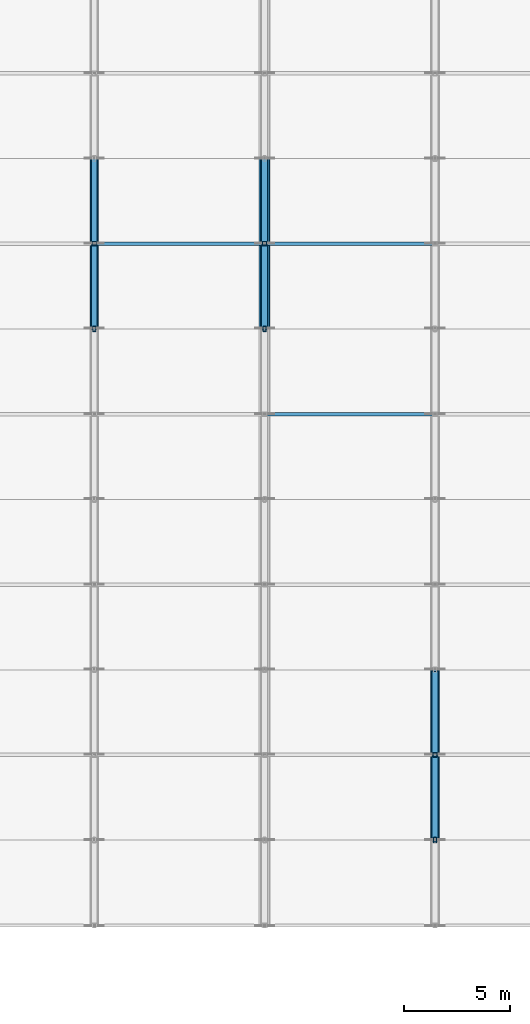
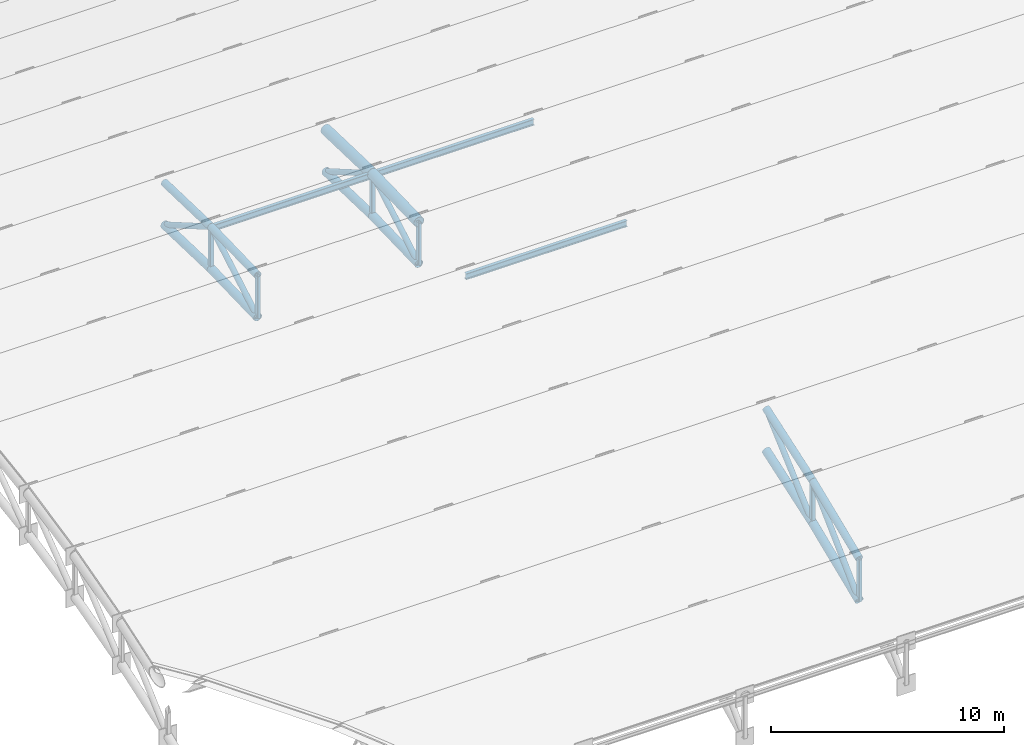
# One storey, part 10 of 98: 27 members.
"""IFC4 building model written with IfcOpenShell, lengths in metres."""

from ifc_helpers import new_model, si_unit, direction, frame, origin, origin_2d, place, context, subcontext, project, spatial, hollow_rectangle, hollow_circle, i_section, extrude, material, material_profile, profile_set, type_object, element, save


model = new_model("IFC4")

# Units and contexts
model_context = context("Model", 3, precision=1e-05, world=origin(), true_north=direction((0.0, 1.0)))
body_context = subcontext(model_context, "Body", "Model", "MODEL_VIEW")
ifc_project = project(units=[si_unit("LENGTHUNIT", "METRE"), si_unit("AREAUNIT", "SQUARE_METRE"), si_unit("VOLUMEUNIT", "CUBIC_METRE"), si_unit("PLANEANGLEUNIT", "RADIAN"), si_unit("MASSUNIT", "GRAM", prefix="KILO")], contexts=[model_context])

# Site, building, storey
site_placement = place(None, origin())
site = spatial("IfcSite", under=ifc_project, at=site_placement, CompositionType="ELEMENT")
building_placement = place(site_placement, origin())
building = spatial("IfcBuilding", under=site, at=building_placement, Name="Tlacozan Convention Centre", CompositionType="ELEMENT")
storey_placement = place(building_placement, frame((0.0, 0.0, 25.800048828125)))
storey = spatial("IfcBuildingStorey", under=building, at=storey_placement, Name="Roof", CompositionType="ELEMENT", Elevation=25.800048828125)

# Members
ifc_material_1 = material(Name="Steel ASTM A500 Grade C", Category="steel")
ifc_material_profile_1 = material_profile(ifc_material_1, hollow_circle(Radius=0.203125, WallThickness=0.015869140625, at=origin_2d()), Name="OC 406.4x15.9")
ifc_profile_set_1 = profile_set([ifc_material_profile_1], Name="Steel ASTM A500 Grade C")
member_type_1 = type_object("IfcMemberType", Name="Arch Bottom Chord OC 406.4x15.9", PredefinedType="CHORD", material=ifc_profile_set_1)
for number, where, z_axis, x_axis, name in (
    (1, (16.0, 90.0, -4.917724609375), (0.0, 0.999567543518, 0.029406222899), (-1.0, 0.0, 0.0), "V2A Roof Truss 3 Bottom Chord 8"),
    (2, (16.0, 94.0, -4.800048828125), (0.0, 0.999567543518, -0.029406222899), (-1.0, 0.0, 0.0), "V2A Roof Truss 3 Bottom Chord 9"),
    (3, (24.0, 90.0, -4.917724609375), (0.0, 0.999567543518, 0.029406222899), (-1.0, 0.0, 0.0), "V2A Roof Truss 4 Bottom Chord 8"),
    (4, (24.0, 94.0, -4.800048828125), (0.0, 0.999567543518, -0.029406222899), (-1.0, 0.0, 0.0), "V2A Roof Truss 4 Bottom Chord 9"),
):
    element("IfcMember", number, at=place(storey_placement, frame(where, z_axis=z_axis, x_axis=x_axis)), inside=storey, type_object=member_type_1, Name=name, PredefinedType="CHORD", context=body_context, shape_type="SweptSolid", body=[
        extrude(hollow_circle(Radius=0.203125, WallThickness=0.015869140625, at=origin_2d()), origin(), (0.0, 0.0, 1.0), 4.001708984375),
    ])
member_1_placement = place(storey_placement, frame((32.0, 66.0, -10.832275390625), z_axis=(0.0, 0.923948802258, 0.382516157575), x_axis=(-1.0, 0.0, 0.0)))
element("IfcMember", 5, at=member_1_placement, inside=storey, type_object=member_type_1, Name="V2A Roof Truss 5 Bottom Chord 2", PredefinedType="CHORD", context=body_context, shape_type="SweptSolid", body=[
    extrude(hollow_circle(Radius=0.203125, WallThickness=0.015869140625, at=origin_2d()), origin(), (0.0, 0.0, 1.0), 4.329345703125),
])
member_2_placement = place(storey_placement, frame((32.0, 70.0, -9.17626953125), z_axis=(0.0, 0.946164915813, 0.323684958077), x_axis=(-1.0, 0.0, 0.0)))
element("IfcMember", 6, at=member_2_placement, inside=storey, type_object=member_type_1, Name="V2A Roof Truss 5 Bottom Chord 3", PredefinedType="CHORD", context=body_context, shape_type="SweptSolid", body=[
    extrude(hollow_circle(Radius=0.203125, WallThickness=0.015869140625, at=origin_2d()), origin(), (0.0, 0.0, 1.0), 4.2275390625),
])
ifc_material_profile_2 = material_profile(ifc_material_1, hollow_circle(Radius=0.25390625, WallThickness=0.01904296875, at=origin_2d()), Name="OC 508.0x19.1")
ifc_profile_set_2 = profile_set([ifc_material_profile_2], Name="Steel ASTM A500 Grade C")
member_type_2 = type_object("IfcMemberType", Name="Arch Top Chord OC 508x19.1", PredefinedType="CHORD", material=ifc_profile_set_2)
for number, where, z_axis, x_axis, name in (
    (7, (24.0, 90.0, -2.7177734375), (0.0, 0.999567543518, 0.029406222899), (-1.0, 0.0, 0.0), "V2A Roof Truss 4 Top Chord 8"),
    (8, (24.0, 94.0, -2.60009765625), (0.0, 0.999567543518, -0.029406222899), (-1.0, 0.0, 0.0), "V2A Roof Truss 4 Top Chord 9"),
):
    element("IfcMember", number, at=place(storey_placement, frame(where, z_axis=z_axis, x_axis=x_axis)), inside=storey, type_object=member_type_2, Name=name, PredefinedType="CHORD", context=body_context, shape_type="SweptSolid", body=[
        extrude(hollow_circle(Radius=0.25390625, WallThickness=0.01904296875, at=origin_2d()), origin(), (0.0, 0.0, 1.0), 4.001708984375),
    ])
ifc_material_profile_3 = material_profile(ifc_material_1, hollow_circle(Radius=0.136474609375, WallThickness=0.0126953125, at=origin_2d()), Name="OC 273.1x12.7")
ifc_profile_set_3 = profile_set([ifc_material_profile_3], Name="Steel ASTM A500 Grade C")
member_type_3 = type_object("IfcMemberType", Name="Arch Web Diagonal OC 273.1x12.7", PredefinedType="BRACE", material=ifc_profile_set_3)
for number, where, z_axis, x_axis, name in (
    (9, (16.0, 90.0, -4.917724609375), (0.0, 0.865253886656, 0.501333932252), (-1.0, 0.0, 0.0), "V2A Roof Truss 3 Web Diagonal 8"),
    (10, (16.0, 94.0, -2.60009765625), (0.0, 0.865253886656, -0.501333932252), (-1.0, 0.0, 0.0), "V2A Roof Truss 3 Web Diagonal 9"),
    (11, (24.0, 90.0, -4.917724609375), (0.0, 0.865253886656, 0.501333932252), (-1.0, 0.0, 0.0), "V2A Roof Truss 4 Web Diagonal 8"),
    (12, (24.0, 94.0, -2.60009765625), (0.0, 0.865253886656, -0.501333932252), (-1.0, 0.0, 0.0), "V2A Roof Truss 4 Web Diagonal 9"),
):
    element("IfcMember", number, at=place(storey_placement, frame(where, z_axis=z_axis, x_axis=x_axis)), inside=storey, type_object=member_type_3, Name=name, PredefinedType="BRACE", context=body_context, shape_type="SweptSolid", body=[
        extrude(hollow_circle(Radius=0.136474609375, WallThickness=0.0126953125, at=origin_2d()), origin(), (0.0, 0.0, 1.0), 4.622802734375),
    ])
member_3_placement = place(storey_placement, frame((32.0, 66.0, -10.832275390625), z_axis=(0.0, 0.719928977367, 0.694047741547), x_axis=(-1.0, 0.0, 0.0)))
element("IfcMember", 13, at=member_3_placement, inside=storey, type_object=member_type_3, Name="V2A Roof Truss 5 Web Diagonal 2", PredefinedType="BRACE", context=body_context, shape_type="SweptSolid", body=[
    extrude(hollow_circle(Radius=0.136474609375, WallThickness=0.0126953125, at=origin_2d()), origin(), (0.0, 0.0, 1.0), 5.55615234375),
])
member_4_placement = place(storey_placement, frame((32.0, 70.0, -9.17626953125), z_axis=(0.0, 0.746199427712, 0.665722475272), x_axis=(-1.0, 0.0, 0.0)))
element("IfcMember", 14, at=member_4_placement, inside=storey, type_object=member_type_3, Name="V2A Roof Truss 5 Web Diagonal 3", PredefinedType="BRACE", context=body_context, shape_type="SweptSolid", body=[
    extrude(hollow_circle(Radius=0.136474609375, WallThickness=0.0126953125, at=origin_2d()), origin(), (0.0, 0.0, 1.0), 5.360595703125),
])
ifc_material_profile_4 = material_profile(ifc_material_1, hollow_rectangle(XDim=0.203125, YDim=0.203125, WallThickness=0.0126953125, InnerFilletRadius=0.0126953125, OuterFilletRadius=0.02490234375, at=origin_2d()), Name="OR 203x203x12.7")
ifc_profile_set_4 = profile_set([ifc_material_profile_4], Name="Steel ASTM A500 Grade C")
member_type_4 = type_object("IfcMemberType", Name="Arch Web Strut OR 203x203x12.7", PredefinedType="STRUT", material=ifc_profile_set_4)
for number, where, z_axis, x_axis, name in (
    (15, (16.0, 94.0, -4.800048828125), (0.0, 0.0, 1.0), (1.0, 0.0, 0.0), "V2A Roof Truss 3 Vertical Strut 9"),
    (16, (24.0, 94.0, -4.800048828125), (0.0, 0.0, 1.0), (1.0, 0.0, 0.0), "V2A Roof Truss 4 Vertical Strut 9"),
):
    element("IfcMember", number, at=place(storey_placement, frame(where, z_axis=z_axis, x_axis=x_axis)), inside=storey, type_object=member_type_4, Name=name, PredefinedType="STRUT", context=body_context, shape_type="SweptSolid", body=[
        extrude(hollow_rectangle(XDim=0.203125, YDim=0.203125, WallThickness=0.0126953125, InnerFilletRadius=0.0126953125, OuterFilletRadius=0.02490234375, at=origin_2d()), origin(), (0.0, 0.0, 1.0), 2.199951171875),
    ])
member_5_placement = place(storey_placement, frame((32.0, 70.0, -9.17626953125), z_axis=(0.0, 0.0, 1.0), x_axis=(1.0, 0.0, 0.0)))
element("IfcMember", 17, at=member_5_placement, inside=storey, type_object=member_type_4, Name="V2A Roof Truss 5 Vertical Strut 3", PredefinedType="STRUT", context=body_context, shape_type="SweptSolid", body=[
    extrude(hollow_rectangle(XDim=0.203125, YDim=0.203125, WallThickness=0.0126953125, InnerFilletRadius=0.0126953125, OuterFilletRadius=0.02490234375, at=origin_2d()), origin(), (0.0, 0.0, 1.0), 2.2001953125),
])
ifc_material_2 = material(Name="Steel ASTM A992 Grade 50", Category="steel")
ifc_material_profile_5 = material_profile(ifc_material_2, i_section(OverallWidth=0.1669921875, OverallDepth=0.31689453125, WebThickness=0.007568359375, FlangeThickness=0.01318359375, FilletRadius=0.010009765625, at=origin_2d()), Name="IR 305x52.2")
ifc_profile_set_5 = profile_set([ifc_material_profile_5], Name="Steel ASTM A992 Grade 50")
member_type_5 = type_object("IfcMemberType", Name="Roof Purlin IR 305x52.2", PredefinedType="PURLIN", material=ifc_profile_set_5)
for number, where, z_axis, x_axis, name in (
    (18, (16.0, 94.0, -2.6650390625), (1.0, 0.0, 0.0), (0.0, 1.0, 0.0), "V2A Roof Truss Purlin 3.9"),
    (19, (24.0, 86.0, -3.13720703125), (1.0, 0.0, 0.0), (0.0, 1.0, 0.0), "V2A Roof Truss Purlin 4.7"),
    (20, (24.0, 94.0, -2.6650390625), (1.0, 0.0, 0.0), (0.0, 1.0, 0.0), "V2A Roof Truss Purlin 4.9"),
):
    element("IfcMember", number, at=place(storey_placement, frame(where, z_axis=z_axis, x_axis=x_axis)), inside=storey, type_object=member_type_5, Name=name, PredefinedType="PURLIN", context=body_context, shape_type="SweptSolid", body=[
        extrude(i_section(OverallWidth=0.1669921875, OverallDepth=0.31689453125, WebThickness=0.007568359375, FlangeThickness=0.01318359375, FilletRadius=0.010009765625, at=origin_2d()), origin(), (0.0, 0.0, 1.0), 8.0),
    ])
ifc_material_profile_6 = material_profile(ifc_material_1, hollow_circle(Radius=0.177734375, WallThickness=0.015869140625, at=origin_2d()), Name="OC 355.6x15.9")
ifc_profile_set_6 = profile_set([ifc_material_profile_6], Name="Steel ASTM A500 Grade C")
member_type_6 = type_object("IfcMemberType", Name="Secondary Arch Chord OC 355.6x15.9", PredefinedType="CHORD", material=ifc_profile_set_6)
for number, where, z_axis, x_axis, name in (
    (21, (16.0, 90.0, -2.7177734375), (0.0, 0.999567543518, 0.029406222899), (-1.0, 0.0, 0.0), "V2A Roof Truss 3 Top Chord 8"),
    (22, (16.0, 94.0, -2.60009765625), (0.0, 0.999567543518, -0.029406222899), (-1.0, 0.0, 0.0), "V2A Roof Truss 3 Top Chord 9"),
):
    element("IfcMember", number, at=place(storey_placement, frame(where, z_axis=z_axis, x_axis=x_axis)), inside=storey, type_object=member_type_6, Name=name, PredefinedType="CHORD", context=body_context, shape_type="SweptSolid", body=[
        extrude(hollow_circle(Radius=0.177734375, WallThickness=0.015869140625, at=origin_2d()), origin(), (0.0, 0.0, 1.0), 4.001708984375),
    ])
member_6_placement = place(storey_placement, frame((32.0, 66.0, -8.63232421875), z_axis=(0.0, 0.923928870591, 0.382564297979), x_axis=(-1.0, 0.0, 0.0)))
element("IfcMember", 23, at=member_6_placement, inside=storey, type_object=member_type_6, Name="V2A Roof Truss 5 Top Chord 2", PredefinedType="CHORD", context=body_context, shape_type="SweptSolid", body=[
    extrude(hollow_circle(Radius=0.177734375, WallThickness=0.015869140625, at=origin_2d()), origin(), (0.0, 0.0, 1.0), 4.329345703125),
])
member_7_placement = place(storey_placement, frame((32.0, 70.0, -6.97607421875), z_axis=(0.0, 0.946164915813, 0.323684958077), x_axis=(-1.0, 0.0, 0.0)))
element("IfcMember", 24, at=member_7_placement, inside=storey, type_object=member_type_6, Name="V2A Roof Truss 5 Top Chord 3", PredefinedType="CHORD", context=body_context, shape_type="SweptSolid", body=[
    extrude(hollow_circle(Radius=0.177734375, WallThickness=0.015869140625, at=origin_2d()), origin(), (0.0, 0.0, 1.0), 4.2275390625),
])
ifc_material_profile_7 = material_profile(ifc_material_1, hollow_rectangle(XDim=0.15234375, YDim=0.25390625, WallThickness=0.0126953125, InnerFilletRadius=0.0126953125, OuterFilletRadius=0.02490234375, at=origin_2d()), Name="OR 254x152x12.7")
ifc_profile_set_7 = profile_set([ifc_material_profile_7], Name="Steel ASTM A500 Grade C")
member_type_7 = type_object("IfcMemberType", Name="Truss Secondary Strut OR 254x152x12.7", PredefinedType="STRUT", material=ifc_profile_set_7)
for number, where, z_axis, x_axis, name in (
    (25, (16.0, 90.0, -4.917724609375), (0.0, 0.0, 1.0), (1.0, 0.0, 0.0), "V2A Roof Truss 3 Vertical Strut 8"),
    (26, (24.0, 90.0, -4.917724609375), (0.0, 0.0, 1.0), (1.0, 0.0, 0.0), "V2A Roof Truss 4 Vertical Strut 8"),
    (27, (32.0, 66.0, -10.832275390625), (0.0, 0.0, 1.0), (1.0, 0.0, 0.0), "V2A Roof Truss 5 Vertical Strut 2"),
):
    element("IfcMember", number, at=place(storey_placement, frame(where, z_axis=z_axis, x_axis=x_axis)), inside=storey, type_object=member_type_7, Name=name, PredefinedType="STRUT", context=body_context, shape_type="SweptSolid", body=[
        extrude(hollow_rectangle(XDim=0.15234375, YDim=0.25390625, WallThickness=0.0126953125, InnerFilletRadius=0.0126953125, OuterFilletRadius=0.02490234375, at=origin_2d()), origin(), (0.0, 0.0, 1.0), 2.199951171875),
    ])

save(model, "model.ifc")
